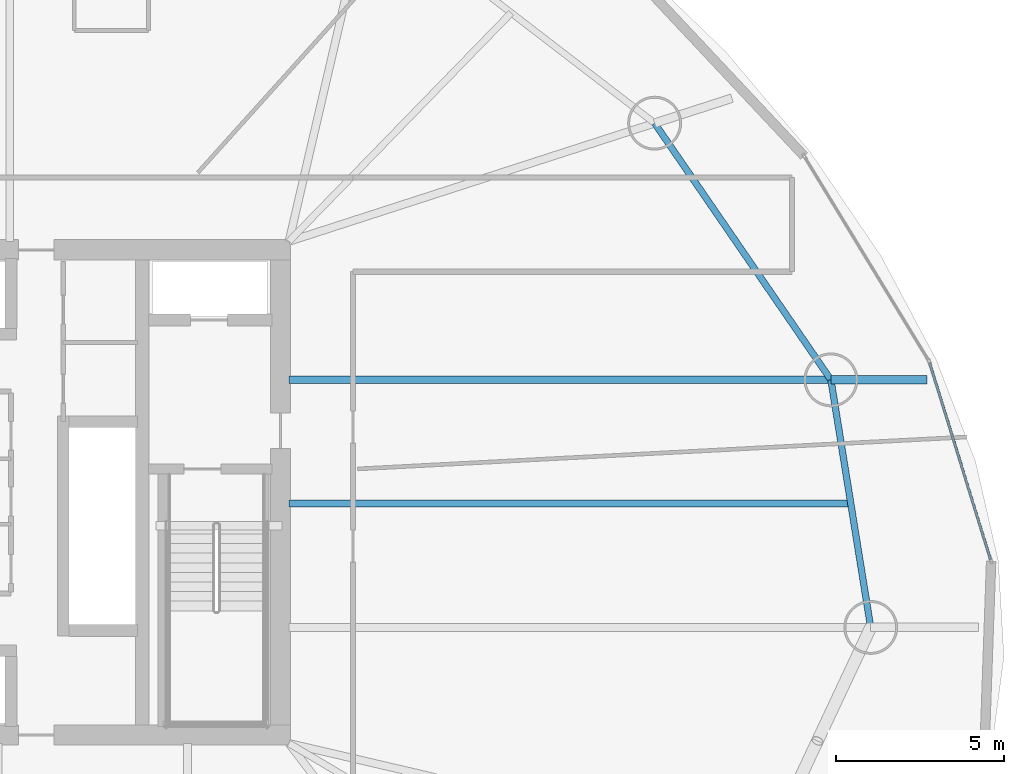
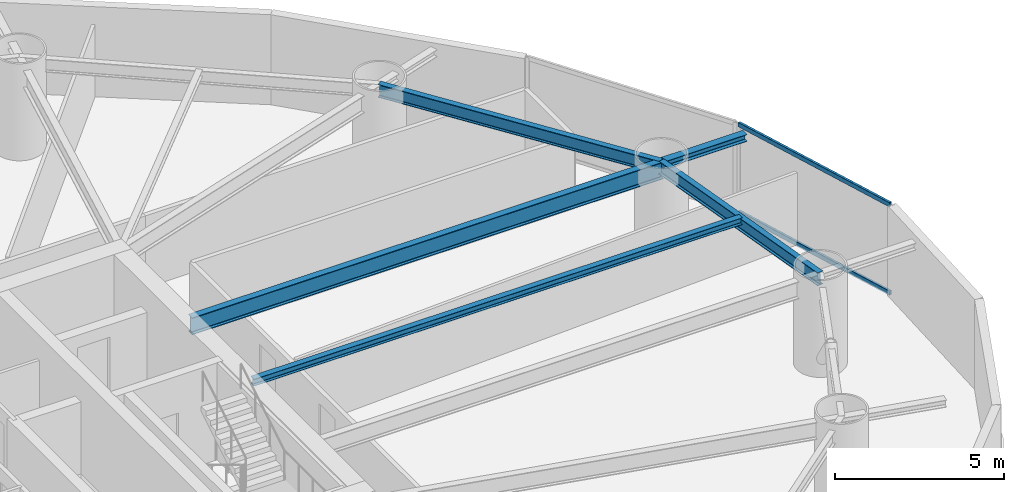
# One storey, part 14 of 30: 5 beams, 2 members, 1 element without a shape of its own.
"""IFC4 building model written with IfcOpenShell, lengths in metres."""

from ifc_helpers import new_model, si_unit, direction, frame, origin, origin_2d, place, context, subcontext, project, spatial, hollow_rectangle, i_section, extrude, material, layer, layer_set, material_profile, profile_set, type_object, element, aggregate, save


model = new_model("IFC4")

# Units and contexts
model_context = context("Model", 3, precision=1e-05, world=origin(), true_north=direction((0.0, 1.0)))
body_context = subcontext(model_context, "Body", "Model", "MODEL_VIEW")
ifc_project = project(units=[si_unit("LENGTHUNIT", "METRE"), si_unit("AREAUNIT", "SQUARE_METRE"), si_unit("VOLUMEUNIT", "CUBIC_METRE"), si_unit("PLANEANGLEUNIT", "RADIAN"), si_unit("MASSUNIT", "GRAM", prefix="KILO")], contexts=[model_context])

# Site, building, storey
site_placement = place(None, origin())
site = spatial("IfcSite", under=ifc_project, at=site_placement, CompositionType="ELEMENT")
building_placement = place(site_placement, origin())
building = spatial("IfcBuilding", under=site, at=building_placement, Name="Bramvorn Convention Spire", CompositionType="ELEMENT")
storey_placement = place(building_placement, frame((0.0, 0.0, 86.89990234375)))
storey = spatial("IfcBuildingStorey", under=building, at=storey_placement, Name="L20", CompositionType="ELEMENT", Elevation=86.89990234375)

# Beams
ifc_material_1 = material(Name="Steel CSA G40.21 Grade 350 (350W)", Category="steel")
ifc_material_profile_1 = material_profile(ifc_material_1, i_section(OverallWidth=0.201904296875, OverallDepth=0.2470703125, WebThickness=0.00732421875, FlangeThickness=0.010986328125, FilletRadius=0.011962890625, at=origin_2d()))
ifc_profile_set_1 = profile_set([ifc_material_profile_1], Name="Steel CSA G40.21 Grade 350 (350W) - W250X49")
beam_type_1 = type_object("IfcBeamType", Name="BM-W250X49", PredefinedType="JOIST", material=ifc_profile_set_1)
beam_1_placement = place(storey_placement, frame((49.25, 25.666015625, 3.126708984375), z_axis=(1.0, 0.0, 0.0), x_axis=(0.0, 1.0, 0.0)))
element("IfcBeam", 1, at=beam_1_placement, inside=storey, type_object=beam_type_1, Name="L20 composite floor joist 01", PredefinedType="JOIST", context=body_context, shape_type="SweptSolid", body=[
    extrude(i_section(OverallWidth=0.201904296875, OverallDepth=0.2470703125, WebThickness=0.00732421875, FlangeThickness=0.010986328125, FilletRadius=0.011962890625, at=origin_2d()), origin(), (0.0, 0.0, 1.0), 16.67919921875),
])
ifc_material_profile_2 = material_profile(ifc_material_1, i_section(OverallWidth=0.25390625, OverallDepth=0.2529296875, WebThickness=0.008544921875, FlangeThickness=0.01416015625, FilletRadius=0.011962890625, at=origin_2d()))
ifc_profile_set_2 = profile_set([ifc_material_profile_2], Name="Steel CSA G40.21 Grade 350 (350W) - W250X73")
beam_type_2 = type_object("IfcBeamType", Name="BM-W250X73", PredefinedType="BEAM", material=ifc_profile_set_2)
beam_2_placement = place(storey_placement, frame((65.338623046875, 29.340087890625, 3.12353515625), z_axis=(1.0, 0.0, 0.0), x_axis=(0.0, 1.0, 0.0)))
element("IfcBeam", 2, at=beam_2_placement, inside=storey, type_object=beam_type_2, Name="L20 slab-edge cantilever tip beam MC02", PredefinedType="BEAM", context=body_context, shape_type="SweptSolid", body=[
    extrude(i_section(OverallWidth=0.25390625, OverallDepth=0.2529296875, WebThickness=0.008544921875, FlangeThickness=0.01416015625, FilletRadius=0.011962890625, at=origin_2d()), origin(), (0.0, 0.0, 1.0), 2.851806640625),
])
ifc_material_profile_3 = material_profile(ifc_material_1, i_section(OverallWidth=0.194091796875, OverallDepth=0.468994140625, WebThickness=0.0126953125, FlangeThickness=0.0205078125, FilletRadius=0.01806640625, at=origin_2d()))
ifc_profile_set_3 = profile_set([ifc_material_profile_3], Name="Steel CSA G40.21 Grade 350 (350W) - W460X106")
beam_type_3 = type_object("IfcBeamType", Name="BM-W460X106", PredefinedType="SPANDREL", material=ifc_profile_set_3)
beam_3_placement = place(storey_placement, frame((66.519775390625, 21.99169921875, 3.015625), z_axis=(-0.158699222824, 0.987326975563, 0.0), x_axis=(-0.987326975563, -0.158699222824, 0.0)))
element("IfcBeam", 3, at=beam_3_placement, inside=storey, type_object=beam_type_3, Name="L20 mega-column ring beam 01", PredefinedType="SPANDREL", context=body_context, shape_type="SweptSolid", body=[
    extrude(i_section(OverallWidth=0.194091796875, OverallDepth=0.468994140625, WebThickness=0.0126953125, FlangeThickness=0.0205078125, FilletRadius=0.01806640625, at=origin_2d()), origin(), (0.0, 0.0, 1.0), 7.442626953125),
])
beam_4_placement = place(storey_placement, frame((65.338623046875, 29.340087890625, 3.015625), z_axis=(-0.566129730789, 0.824316157743, 0.0), x_axis=(-0.824316157743, -0.566129730789, 0.0)))
element("IfcBeam", 4, at=beam_4_placement, inside=storey, type_object=beam_type_3, Name="L20 mega-column ring beam 02", PredefinedType="SPANDREL", context=body_context, shape_type="SweptSolid", body=[
    extrude(i_section(OverallWidth=0.194091796875, OverallDepth=0.468994140625, WebThickness=0.0126953125, FlangeThickness=0.0205078125, FilletRadius=0.01806640625, at=origin_2d()), origin(), (0.0, 0.0, 1.0), 9.244140625),
])
ifc_material_profile_4 = material_profile(ifc_material_1, i_section(OverallWidth=0.22998046875, OverallDepth=0.616943359375, WebThickness=0.01318359375, FlangeThickness=0.022216796875, FilletRadius=0.02001953125, at=origin_2d()))
ifc_profile_set_4 = profile_set([ifc_material_profile_4], Name="Steel CSA G40.21 Grade 350 (350W) - W610X140")
beam_type_4 = type_object("IfcBeamType", Name="BM-W610X140", PredefinedType="BEAM", material=ifc_profile_set_4)
beam_5_placement = place(storey_placement, frame((49.25, 29.340087890625, 2.941650390625), z_axis=(1.0, 0.0, 0.0), x_axis=(0.0, 1.0, 0.0)))
element("IfcBeam", 5, at=beam_5_placement, inside=storey, type_object=beam_type_4, Name="L20 radial floor girder MC02", PredefinedType="BEAM", context=body_context, shape_type="SweptSolid", body=[
    extrude(i_section(OverallWidth=0.22998046875, OverallDepth=0.616943359375, WebThickness=0.01318359375, FlangeThickness=0.022216796875, FilletRadius=0.02001953125, at=origin_2d()), origin(), (0.0, 0.0, 1.0), 16.088623046875),
])

# Curtain wall, members
ifc_material_2 = material(Name="Anodised Bronze Unitised Curtain Wall", Category="aluminium")
ifc_layer = layer(ifc_material_2, 0.179931640625)
ifc_layer_set = layer_set([ifc_layer], Name="Anodised Bronze Unitised Curtain Wall - CW-HTL-FRIT")
curtain_wall_type = type_object("IfcCurtainWallType", Name="CW-HTL-FRIT", PredefinedType="USERDEFINED", material=ifc_layer_set)
curtain_wall_placement = place(storey_placement, origin())
curtain_wall = element("IfcCurtainWall", 6, at=curtain_wall_placement, inside=storey, type_object=curtain_wall_type, Name="L20 fritted glass curtain wall 02", ObjectType="UNITISED CURTAIN WALL", PredefinedType="USERDEFINED")
ifc_material_3 = material(Name="Anodised Bronze Aluminium 6063-T6", Category="aluminium")
ifc_material_profile_5 = material_profile(ifc_material_3, hollow_rectangle(XDim=0.080078125, YDim=0.159912109375, WallThickness=0.00390625, InnerFilletRadius=0.0009765625, OuterFilletRadius=0.00390625, at=origin_2d()))
ifc_profile_set_5 = profile_set([ifc_material_profile_5], Name="Anodised Bronze Aluminium 6063-T6 - CWT80X160")
member_type = type_object("IfcMemberType", Name="CW-TRN-150", PredefinedType="USERDEFINED", material=ifc_profile_set_5)
member_1_placement = place(storey_placement, frame((68.2724609375, 29.829345703125, 0.030029296875), z_axis=(0.296031132359, -0.955178291564, 0.0), x_axis=(0.955178291564, 0.296031132359, 0.0)))
member_1 = element("IfcMember", 7, at=member_1_placement, type_object=member_type, Name="CW2 transom 1.1", ObjectType="TRANSOM", PredefinedType="USERDEFINED", context=body_context, shape_type="SweptSolid", body=[
    extrude(hollow_rectangle(XDim=0.080078125, YDim=0.159912109375, WallThickness=0.00390625, InnerFilletRadius=0.0009765625, OuterFilletRadius=0.00390625, at=origin_2d()), origin(), (0.0, 0.0, 1.0), 6.092041015625),
])
member_2_placement = place(storey_placement, frame((68.2724609375, 29.829345703125, 3.22021484375), z_axis=(0.296031132359, -0.955178291564, 0.0), x_axis=(0.955178291564, 0.296031132359, 0.0)))
member_2 = element("IfcMember", 8, at=member_2_placement, type_object=member_type, Name="CW2 transom 1.2", ObjectType="TRANSOM", PredefinedType="USERDEFINED", context=body_context, shape_type="SweptSolid", body=[
    extrude(hollow_rectangle(XDim=0.080078125, YDim=0.159912109375, WallThickness=0.00390625, InnerFilletRadius=0.0009765625, OuterFilletRadius=0.00390625, at=origin_2d()), origin(), (0.0, 0.0, 1.0), 6.092041015625),
])
aggregate(curtain_wall, [member_1, member_2])

save(model, "model.ifc")
